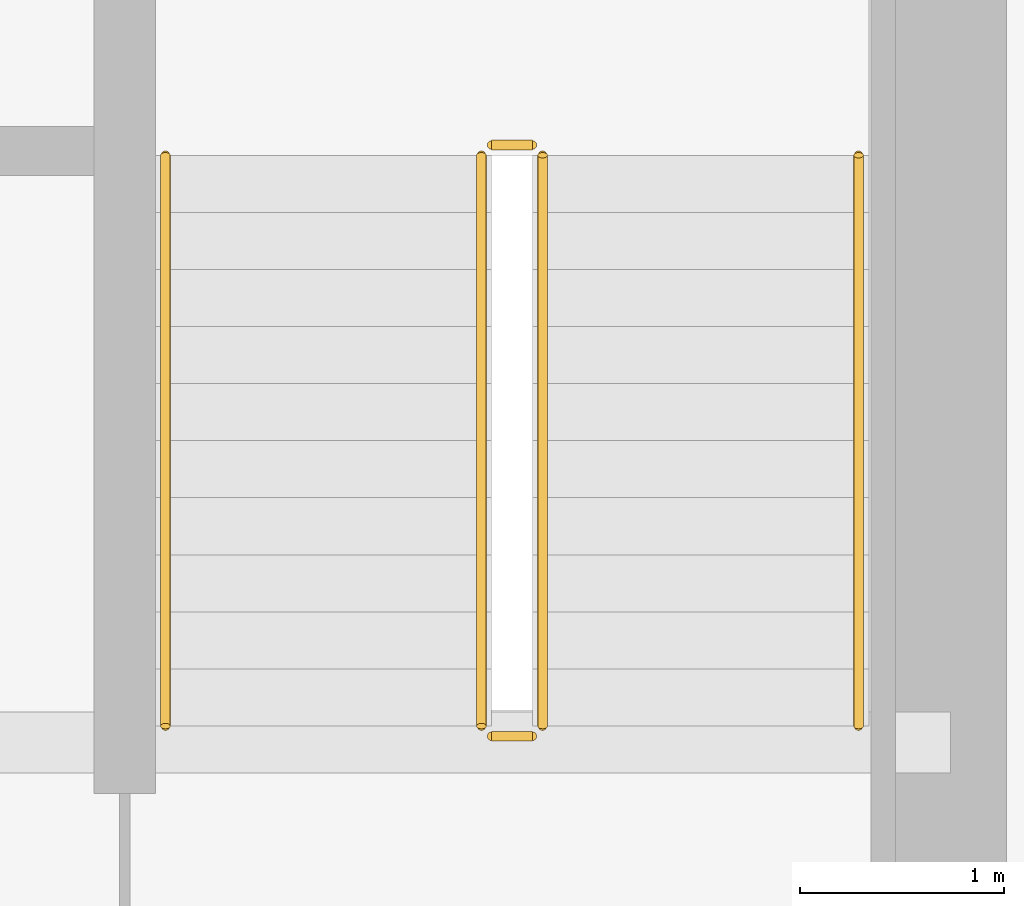
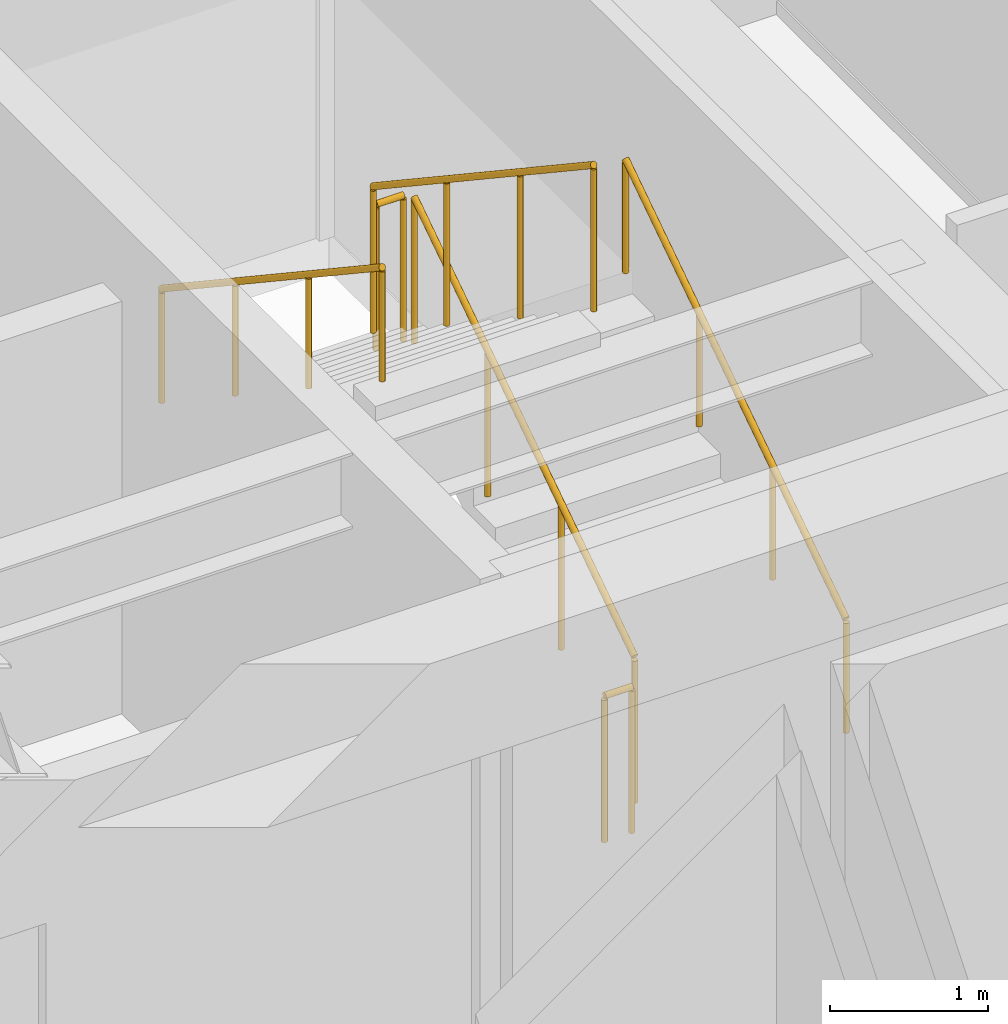
# One storey, part 33 of 33: 6 railings.
"""IFC4 building model written with IfcOpenShell, lengths in metres."""

from ifc_helpers import new_model, si_unit, direction, frame, origin, origin_2d, place, context, subcontext, project, spatial, circle, extrude, source, transform, mapped, material, type_object, type_shapes, element, save


model = new_model("IFC4")

# Units and contexts
model_context = context("Model", 3, precision=1e-05, world=origin(), true_north=direction((0.0, 1.0)))
body_context = subcontext(model_context, "Body", "Model", "MODEL_VIEW")
ifc_project = project(units=[si_unit("LENGTHUNIT", "METRE"), si_unit("AREAUNIT", "SQUARE_METRE"), si_unit("VOLUMEUNIT", "CUBIC_METRE"), si_unit("PLANEANGLEUNIT", "RADIAN"), si_unit("MASSUNIT", "GRAM", prefix="KILO")], contexts=[model_context])

# Site, building, storey
site_placement = place(None, origin())
site = spatial("IfcSite", under=ifc_project, at=site_placement, CompositionType="ELEMENT")
building_placement = place(site_placement, origin())
building = spatial("IfcBuilding", under=site, at=building_placement, Name="Haelvirn Gate Laboratories", CompositionType="ELEMENT")
storey_placement = place(building_placement, frame((0.0, 0.0, 230.10009765625)))
storey = spatial("IfcBuildingStorey", under=building, at=storey_placement, Name="L55", CompositionType="ELEMENT", Elevation=230.10009765625)

# Railings
ifc_material_1 = material(Name="Galvanised steel SM355 & stainless top rail", Category="steel")
railing_type_1 = type_object("IfcRailingType", Name="RL-GUARD-1150", PredefinedType="GUARDRAIL", material=ifc_material_1)
shared_shape_1 = source(origin(), body_context, "Body", "SweptSolid", [
    extrude(circle(Radius=0.02392578125, at=origin_2d()), frame((0.0, 0.0, 1.1259765625), z_axis=(0.0, 0.832485552168, 0.554046753832), x_axis=(-1.0, 0.0, 0.0)), (0.0, 0.0, 1.0), 3.363525390625),
    extrude(circle(Radius=0.02099609375, at=origin_2d()), origin(), (0.0, 0.0, 1.0), 1.101806640625),
    extrude(circle(Radius=0.02099609375, at=origin_2d()), frame((0.0, 0.933349609375, 0.62109375)), (0.0, 0.0, 1.0), 1.101806640625),
    extrude(circle(Radius=0.02099609375, at=origin_2d()), frame((0.0, 1.86669921875, 1.242431640625)), (0.0, 0.0, 1.0), 1.101806640625),
    extrude(circle(Radius=0.02099609375, at=origin_2d()), frame((0.0, 2.800048828125, 1.863525390625)), (0.0, 0.0, 1.0), 1.101806640625),
])
railing_1_placement = place(storey_placement, frame((65.39990234375, 26.699951171875, 0.186279296875)))
element("IfcRailing", 1, at=railing_1_placement, inside=storey, type_object=railing_type_1, Name="L55 ST2 stair guard 1", PredefinedType="GUARDRAIL", context=body_context, shape_type="MappedRepresentation", body=[
    mapped(shared_shape_1, transform((0.0, 0.0, 0.0), scale=1.0)),
])
ifc_material_2 = material(Name="Brushed stainless steel 316L", Category="steel")
railing_type_2 = type_object("IfcRailingType", Name="RL-HAND-920", PredefinedType="HANDRAIL", material=ifc_material_2)
shared_shape_2 = source(origin(), body_context, "Body", "SweptSolid", [
    extrude(circle(Radius=0.02392578125, at=origin_2d()), frame((0.0, 0.0, 0.8759765625), z_axis=(0.0, 0.832485552168, 0.554046753832), x_axis=(-1.0, 0.0, 0.0)), (0.0, 0.0, 1.0), 3.363525390625),
    extrude(circle(Radius=0.02099609375, at=origin_2d()), origin(), (0.0, 0.0, 1.0), 0.851806640625),
    extrude(circle(Radius=0.02099609375, at=origin_2d()), frame((0.0, 0.933349609375, 0.62109375)), (0.0, 0.0, 1.0), 0.851806640625),
    extrude(circle(Radius=0.02099609375, at=origin_2d()), frame((0.0, 1.86669921875, 1.242431640625)), (0.0, 0.0, 1.0), 0.851806640625),
    extrude(circle(Radius=0.02099609375, at=origin_2d()), frame((0.0, 2.800048828125, 1.863525390625)), (0.0, 0.0, 1.0), 0.851806640625),
])
railing_2_placement = place(storey_placement, frame((66.949951171875, 26.699951171875, 0.186279296875)))
element("IfcRailing", 2, at=railing_2_placement, inside=storey, type_object=railing_type_2, Name="L55 ST2 stair handrail 1", PredefinedType="HANDRAIL", context=body_context, shape_type="MappedRepresentation", body=[
    mapped(shared_shape_2, transform((0.0, 0.0, 0.0), scale=1.0)),
])
shared_shape_3 = source(origin(), body_context, "Body", "SweptSolid", [
    extrude(circle(Radius=0.02392578125, at=origin_2d()), frame((0.0, 0.0, 1.1259765625), z_axis=(0.0, -0.832485552168, 0.554046753832), x_axis=(1.0, 0.0, 0.0)), (0.0, 0.0, 1.0), 3.363525390625),
    extrude(circle(Radius=0.02099609375, at=origin_2d()), origin(), (0.0, 0.0, 1.0), 1.101806640625),
    extrude(circle(Radius=0.02099609375, at=origin_2d()), frame((0.0, -0.933349609375, 0.62109375)), (0.0, 0.0, 1.0), 1.101806640625),
    extrude(circle(Radius=0.02099609375, at=origin_2d()), frame((0.0, -1.86669921875, 1.242431640625)), (0.0, 0.0, 1.0), 1.101806640625),
    extrude(circle(Radius=0.02099609375, at=origin_2d()), frame((0.0, -2.800048828125, 1.863525390625)), (0.0, 0.0, 1.0), 1.101806640625),
])
railing_3_placement = place(storey_placement, frame((65.10009765625, 29.5, 2.236328125)))
element("IfcRailing", 3, at=railing_3_placement, inside=storey, type_object=railing_type_1, Name="L55 ST2 stair guard 3", PredefinedType="GUARDRAIL", context=body_context, shape_type="MappedRepresentation", body=[
    mapped(shared_shape_3, transform((0.0, 0.0, 0.0), scale=1.0)),
])
shared_shape_4 = source(origin(), body_context, "Body", "SweptSolid", [
    extrude(circle(Radius=0.02392578125, at=origin_2d()), frame((0.0, 0.0, 0.8759765625), z_axis=(0.0, -0.832485552168, 0.554046753832), x_axis=(1.0, 0.0, 0.0)), (0.0, 0.0, 1.0), 3.363525390625),
    extrude(circle(Radius=0.02099609375, at=origin_2d()), origin(), (0.0, 0.0, 1.0), 0.851806640625),
    extrude(circle(Radius=0.02099609375, at=origin_2d()), frame((0.0, -0.933349609375, 0.62109375)), (0.0, 0.0, 1.0), 0.851806640625),
    extrude(circle(Radius=0.02099609375, at=origin_2d()), frame((0.0, -1.86669921875, 1.242431640625)), (0.0, 0.0, 1.0), 0.851806640625),
    extrude(circle(Radius=0.02099609375, at=origin_2d()), frame((0.0, -2.800048828125, 1.863525390625)), (0.0, 0.0, 1.0), 0.851806640625),
])
type_shapes(railing_type_2, [shared_shape_2, shared_shape_4])
railing_4_placement = place(storey_placement, frame((63.550048828125, 29.5, 2.236328125)))
element("IfcRailing", 4, at=railing_4_placement, inside=storey, type_object=railing_type_2, Name="L55 ST2 stair handrail 2", PredefinedType="HANDRAIL", context=body_context, shape_type="MappedRepresentation", body=[
    mapped(shared_shape_4, transform((0.0, 0.0, 0.0), scale=1.0)),
])
shared_shape_5 = source(origin(), body_context, "Body", "SweptSolid", [
    extrude(circle(Radius=0.02392578125, at=origin_2d()), frame((0.0, 0.0, 1.1259765625), z_axis=(-1.0, 0.0, 0.0), x_axis=(0.0, -1.0, 0.0)), (0.0, 0.0, 1.0), 0.2001953125),
    extrude(circle(Radius=0.02099609375, at=origin_2d()), origin(), (0.0, 0.0, 1.0), 1.101806640625),
    extrude(circle(Radius=0.02099609375, at=origin_2d()), frame((-0.2001953125, 0.0, 0.0)), (0.0, 0.0, 1.0), 1.101806640625),
])
type_shapes(railing_type_1, [shared_shape_1, shared_shape_3, shared_shape_5])
for number, where, name in (
    (5, (65.35009765625, 29.550048828125, 2.0498046875), "L55 ST2 stair guard 2"),
    (6, (65.35009765625, 26.64990234375, 0.0), "L55 ST2 stair guard 4"),
):
    element("IfcRailing", number, at=place(storey_placement, frame(where)), inside=storey, type_object=railing_type_1, Name=name, PredefinedType="GUARDRAIL", context=body_context, shape_type="MappedRepresentation", body=[
        mapped(shared_shape_5, transform((0.0, 0.0, 0.0), scale=1.0)),
    ])

save(model, "model.ifc")
